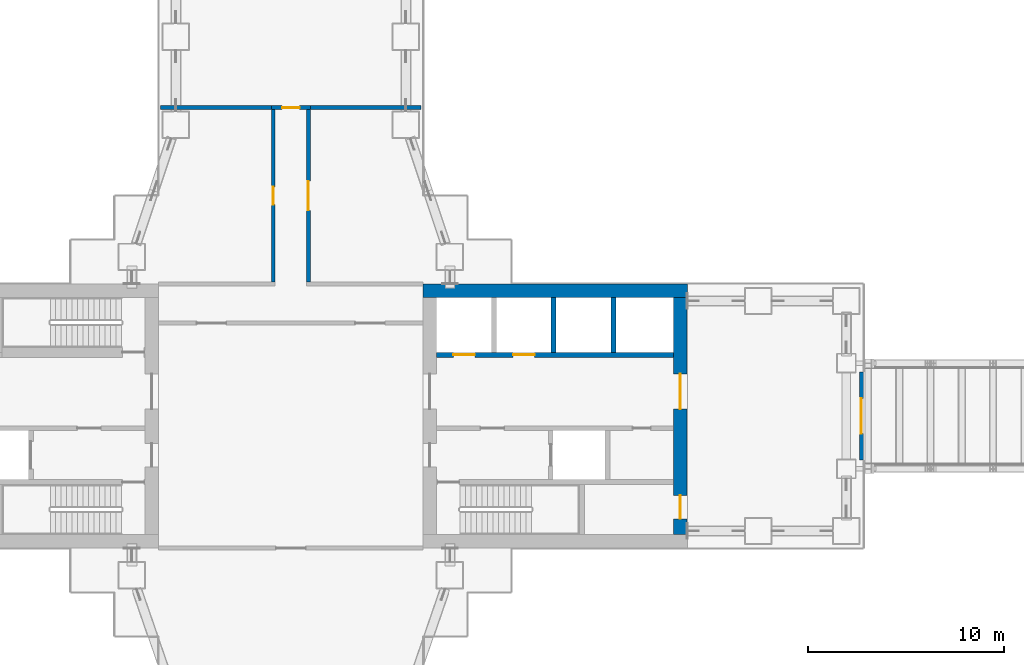
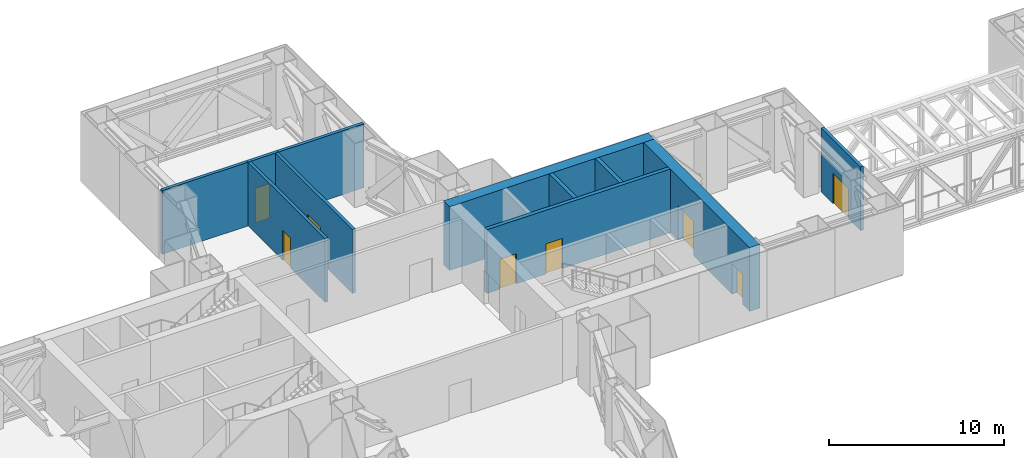
# One storey, part 12 of 23: 11 walls, 8 doors, 8 openings.
"""IFC4 building model written with IfcOpenShell, lengths in metres."""

from ifc_helpers import new_model, si_unit, direction, frame, frame_2d, origin, place, context, subcontext, project, spatial, rectangle, extrude, material, layer, layer_set, type_object, element, fill, save


model = new_model("IFC4")

# Units and contexts
model_context = context("Model", 3, precision=1e-05, world=origin(), true_north=direction((0.0, 1.0)))
body_context = subcontext(model_context, "Body", "Model", "MODEL_VIEW")
ifc_project = project(units=[si_unit("LENGTHUNIT", "METRE"), si_unit("AREAUNIT", "SQUARE_METRE"), si_unit("VOLUMEUNIT", "CUBIC_METRE"), si_unit("PLANEANGLEUNIT", "RADIAN"), si_unit("MASSUNIT", "GRAM", prefix="KILO")], contexts=[model_context])

# Site, building, storey
site_placement = place(None, origin())
site = spatial("IfcSite", under=ifc_project, at=site_placement, CompositionType="ELEMENT")
building_placement = place(site_placement, origin())
building = spatial("IfcBuilding", under=site, at=building_placement, Name="Shamsa Quay Exchange Towers", CompositionType="ELEMENT")
storey_placement = place(building_placement, frame((0.0, 0.0, 77.10009765625)))
storey = spatial("IfcBuildingStorey", under=building, at=storey_placement, Name="L17", CompositionType="ELEMENT", Elevation=77.10009765625)

# Wall
ifc_material_1 = material(Name="Concrete C80/95", Category="concrete")
ifc_layer_1 = layer(ifc_material_1, 0.699951171875)
ifc_layer_set_1 = layer_set([ifc_layer_1], Name="CORE WALL 700 C80/95")
wall_type_1 = type_object("IfcWallType", Name="CORE WALL 700 C80/95", PredefinedType="SHEAR", material=ifc_layer_set_1)
wall_1_placement = place(storey_placement, frame((-27.0, 6.39990234375, 0.0)))
element("IfcWall", 1, at=wall_1_placement, inside=storey, type_object=wall_type_1, Name="Core wall T1A-L17-PN", PredefinedType="SHEAR", context=body_context, shape_type="SweptSolid", body=[
    extrude(rectangle(XDim=13.5, YDim=0.699951171875, at=frame_2d((6.75, 0.0))), origin(), (0.0, 0.0, 1.0), 4.449951171875),
])

# Wall, openings, doors
wall_2_placement = place(storey_placement, frame((-13.85009765625, 6.050048828125, 0.0), z_axis=(0.0, 0.0, 1.0), x_axis=(0.0, -1.0, 0.0)))
wall_2 = element("IfcWall", 2, at=wall_2_placement, inside=storey, type_object=wall_type_1, Name="Core wall T1A-L17-PB", PredefinedType="SHEAR", context=body_context, shape_type="SweptSolid", body=[
    extrude(rectangle(XDim=12.10009765625, YDim=0.699951171875, at=frame_2d((6.050048828125, 0.0))), origin(), (0.0, 0.0, 1.0), 4.449951171875),
])
opening_1_placement = place(wall_2_placement, frame((10.10009765625, 0.0, 0.0)))
opening_1 = element("IfcOpeningElement", 3, at=opening_1_placement, cuts=wall_2, Name="Opening T1A-L17-RD03", PredefinedType="OPENING", context=body_context, shape_type="SweptSolid", body=[
    extrude(rectangle(XDim=1.199951171875, YDim=2.10009765625, at=frame_2d((0.60009765625, 1.050048828125))), frame((0.0, 0.35986328125, 0.0), z_axis=(0.0, -1.0, 0.0), x_axis=(1.0, 0.0, 0.0)), (0.0, 0.0, 1.0), 0.719970703125),
])
opening_2_placement = place(wall_2_placement, frame((3.89990234375, 0.0, 0.0)))
opening_2 = element("IfcOpeningElement", 4, at=opening_2_placement, cuts=wall_2, Name="Opening T1A-L17-LBD04", PredefinedType="OPENING", context=body_context, shape_type="SweptSolid", body=[
    extrude(rectangle(XDim=1.800048828125, YDim=2.39990234375, at=frame_2d((0.89990234375, 1.199951171875))), frame((0.0, 0.35986328125, 0.0), z_axis=(0.0, -1.0, 0.0), x_axis=(1.0, 0.0, 0.0)), (0.0, 0.0, 1.0), 0.719970703125),
])
ifc_material_2 = material(Name="Steel, fire rated", Category="steel")
door_type_1 = type_object("IfcDoorType", Name="LIFT LOBBY DOOR PAIR 1800", OperationType="DOUBLE_DOOR_SINGLE_SWING", PredefinedType="DOOR", material=ifc_material_2)
door_1_placement = place(opening_2_placement, origin())
door_1 = element("IfcDoor", 5, at=door_1_placement, inside=storey, type_object=door_type_1, Name="T1A-L17-LBD04", OperationType="DOUBLE_DOOR_SINGLE_SWING", OverallHeight=2.39990234375, OverallWidth=1.800048828125, PredefinedType="DOOR", context=body_context, shape_type="SweptSolid", body=[
    extrude(rectangle(XDim=1.800048828125, YDim=2.39990234375, at=frame_2d((0.89990234375, 1.199951171875))), frame((0.0, 0.02490234375, 0.0), z_axis=(0.0, -1.0, 0.0), x_axis=(1.0, 0.0, 0.0)), (0.0, 0.0, 1.0), 0.050048828125),
])
fill(opening_2, door_1)
door_type_2 = type_object("IfcDoorType", Name="RISER ACCESS DOOR 1200", OperationType="SINGLE_SWING_LEFT", PredefinedType="DOOR", material=ifc_material_2)
door_2_placement = place(opening_1_placement, origin())
door_2 = element("IfcDoor", 6, at=door_2_placement, inside=storey, type_object=door_type_2, Name="T1A-L17-RD03", OperationType="SINGLE_SWING_RIGHT", OverallHeight=2.10009765625, OverallWidth=1.199951171875, PredefinedType="DOOR", context=body_context, shape_type="SweptSolid", body=[
    extrude(rectangle(XDim=1.199951171875, YDim=2.10009765625, at=frame_2d((0.60009765625, 1.050048828125))), frame((0.0, 0.02490234375, 0.0), z_axis=(0.0, -1.0, 0.0), x_axis=(1.0, 0.0, 0.0)), (0.0, 0.0, 1.0), 0.050048828125),
])
fill(opening_1, door_2)

# Wall, opening, door
ifc_material_3 = material(Name="Gypsum board partition on metal studs")
ifc_layer_2 = layer(ifc_material_3, 0.199951171875)
ifc_layer_set_2 = layer_set([ifc_layer_2], Name="Partition 200 mm EI 120")
wall_type_2 = type_object("IfcWallType", Name="Partition 200 mm EI 120", PredefinedType="PARTITIONING", material=ifc_layer_set_2)
wall_3_placement = place(storey_placement, frame((-32.849609375, 15.64990234375, 0.0), z_axis=(0.0, 0.0, 1.0), x_axis=(0.0, -1.0, 0.0)))
wall_3 = element("IfcWall", 7, at=wall_3_placement, inside=storey, type_object=wall_type_2, Name="Partition T1-L17-W02", PredefinedType="PARTITIONING", context=body_context, shape_type="SweptSolid", body=[
    extrude(rectangle(XDim=8.7998046875, YDim=0.199951171875, at=frame_2d((4.39990234375, 0.0))), origin(), (0.0, 0.0, 1.0), 4.449951171875),
])
opening_3_placement = place(wall_3_placement, frame((3.64990234375, 0.0, 0.0)))
opening_3 = element("IfcOpeningElement", 8, at=opening_3_placement, cuts=wall_3, Name="Opening T1-L17-D06", PredefinedType="OPENING", context=body_context, shape_type="SweptSolid", body=[
    extrude(rectangle(XDim=1.5, YDim=2.39990234375, at=frame_2d((0.75, 1.199951171875))), frame((0.0, 0.10986328125, 0.0), z_axis=(0.0, -1.0, 0.0), x_axis=(1.0, 0.0, 0.0)), (0.0, 0.0, 1.0), 0.219970703125),
])
ifc_material_4 = material(Name="Timber door leaf in a metal frame", Category="wood")
door_type_3 = type_object("IfcDoorType", Name="Door 1500x2400 FD60 pair", OperationType="NOTDEFINED", PredefinedType="DOOR", material=ifc_material_4)
door_3_placement = place(opening_3_placement, origin())
door_3 = element("IfcDoor", 9, at=door_3_placement, inside=storey, type_object=door_type_3, Name="Door T1-L17-D06", OperationType="DOUBLE_DOOR_SINGLE_SWING", OverallHeight=2.39990234375, OverallWidth=1.5, PredefinedType="DOOR", context=body_context, shape_type="SweptSolid", body=[
    extrude(rectangle(XDim=1.5, YDim=2.39990234375, at=frame_2d((0.75, 1.199951171875))), frame((0.0, 0.02490234375, 0.0), z_axis=(0.0, -1.0, 0.0), x_axis=(1.0, 0.0, 0.0)), (0.0, 0.0, 1.0), 0.050048828125),
])
fill(opening_3, door_3)

wall_4_placement = place(storey_placement, frame((-34.75048828125, 15.75, 0.0)))
wall_4 = element("IfcWall", 10, at=wall_4_placement, inside=storey, type_object=wall_type_2, Name="Partition T1-L17-W06", PredefinedType="PARTITIONING", context=body_context, shape_type="SweptSolid", body=[
    extrude(rectangle(XDim=2.0009765625, YDim=0.199951171875, at=frame_2d((1.00048828125, 0.0))), origin(), (0.0, 0.0, 1.0), 4.449951171875),
])
opening_4_placement = place(wall_4_placement, frame((0.55029296875, 0.0, 0.0)))
opening_4 = element("IfcOpeningElement", 11, at=opening_4_placement, cuts=wall_4, Name="Opening T1-L17-D05", PredefinedType="OPENING", context=body_context, shape_type="SweptSolid", body=[
    extrude(rectangle(XDim=0.89990234375, YDim=2.39990234375, at=frame_2d((0.449951171875, 1.199951171875))), frame((0.0, 0.10986328125, 0.0), z_axis=(0.0, -1.0, 0.0), x_axis=(1.0, 0.0, 0.0)), (0.0, 0.0, 1.0), 0.219970703125),
])
door_type_4 = type_object("IfcDoorType", Name="Door 900x2400 FD60", OperationType="NOTDEFINED", PredefinedType="DOOR", material=ifc_material_4)
door_4_placement = place(opening_4_placement, origin())
door_4 = element("IfcDoor", 12, at=door_4_placement, inside=storey, type_object=door_type_4, Name="Door T1-L17-D05", OperationType="SINGLE_SWING_RIGHT", OverallHeight=2.39990234375, OverallWidth=0.89990234375, PredefinedType="DOOR", context=body_context, shape_type="SweptSolid", body=[
    extrude(rectangle(XDim=0.89990234375, YDim=2.39990234375, at=frame_2d((0.449951171875, 1.199951171875))), frame((0.0, 0.02490234375, 0.0), z_axis=(0.0, -1.0, 0.0), x_axis=(1.0, 0.0, 0.0)), (0.0, 0.0, 1.0), 0.050048828125),
])
fill(opening_4, door_4)

# Wall
wall_5_placement = place(storey_placement, frame((-27.094970703125, 15.75, 0.0), z_axis=(0.0, 0.0, 1.0), x_axis=(-1.0, 0.0, 0.0)))
element("IfcWall", 13, at=wall_5_placement, inside=storey, type_object=wall_type_2, Name="Partition T1-L17-W08", PredefinedType="PARTITIONING", context=body_context, shape_type="SweptSolid", body=[
    extrude(rectangle(XDim=5.854736328125, YDim=0.199951171875, at=frame_2d((2.92724609375, 0.0))), origin(), (0.0, 0.0, 1.0), 4.449951171875),
])

# Wall, opening, door
ifc_layer_3 = layer(ifc_material_3, 0.199951171875)
ifc_layer_set_3 = layer_set([ifc_layer_3], Name="Partition 200 mm EI 90")
wall_type_3 = type_object("IfcWallType", Name="Partition 200 mm EI 90", PredefinedType="PARTITIONING", material=ifc_layer_set_3)
wall_6_placement = place(storey_placement, frame((-34.650390625, 6.85009765625, 0.0), z_axis=(0.0, 0.0, 1.0), x_axis=(0.0, 1.0, 0.0)))
wall_6 = element("IfcWall", 14, at=wall_6_placement, inside=storey, type_object=wall_type_3, Name="Partition T1-L17-W05", PredefinedType="PARTITIONING", context=body_context, shape_type="SweptSolid", body=[
    extrude(rectangle(XDim=8.7998046875, YDim=0.199951171875, at=frame_2d((4.39990234375, 0.0))), origin(), (0.0, 0.0, 1.0), 4.449951171875),
])
opening_5_placement = place(wall_6_placement, frame((3.949951171875, 0.0, 0.0)))
opening_5 = element("IfcOpeningElement", 15, at=opening_5_placement, cuts=wall_6, Name="Opening T1-L17-D04", PredefinedType="OPENING", context=body_context, shape_type="SweptSolid", body=[
    extrude(rectangle(XDim=0.89990234375, YDim=2.10009765625, at=frame_2d((0.449951171875, 1.050048828125))), frame((0.0, 0.10986328125, 0.0), z_axis=(0.0, -1.0, 0.0), x_axis=(1.0, 0.0, 0.0)), (0.0, 0.0, 1.0), 0.219970703125),
])
door_type_5 = type_object("IfcDoorType", Name="Door 900x2100 FD60", OperationType="NOTDEFINED", PredefinedType="DOOR", material=ifc_material_4)
door_5_placement = place(opening_5_placement, origin())
door_5 = element("IfcDoor", 16, at=door_5_placement, inside=storey, type_object=door_type_5, Name="Door T1-L17-D04", OperationType="SINGLE_SWING_LEFT", OverallHeight=2.10009765625, OverallWidth=0.89990234375, PredefinedType="DOOR", context=body_context, shape_type="SweptSolid", body=[
    extrude(rectangle(XDim=0.89990234375, YDim=2.10009765625, at=frame_2d((0.449951171875, 1.050048828125))), frame((0.0, 0.02490234375, 0.0), z_axis=(0.0, -1.0, 0.0), x_axis=(1.0, 0.0, 0.0)), (0.0, 0.0, 1.0), 0.050048828125),
])
fill(opening_5, door_5)

# Wall
wall_7_placement = place(storey_placement, frame((-34.55029296875, 15.75, 0.0), z_axis=(0.0, 0.0, 1.0), x_axis=(-1.0, 0.0, 0.0)))
element("IfcWall", 17, at=wall_7_placement, inside=storey, type_object=wall_type_3, Name="Partition T1-L17-W09", PredefinedType="PARTITIONING", context=body_context, shape_type="SweptSolid", body=[
    extrude(rectangle(XDim=5.854736328125, YDim=0.199951171875, at=frame_2d((2.92724609375, 0.0))), origin(), (0.0, 0.0, 1.0), 4.449951171875),
])

# Wall, opening, door
ifc_material_5 = material(Name="Fire-rated masonry and board wall", Category="masonry")
ifc_layer_4 = layer(ifc_material_5, 0.199951171875)
ifc_layer_set_4 = layer_set([ifc_layer_4], Name="Portal wall 200 mm EI 120")
wall_type_4 = type_object("IfcWallType", Name="Portal wall 200 mm EI 120", PredefinedType="PARTITIONING", material=ifc_layer_set_4)
wall_8_placement = place(storey_placement, frame((-4.60009765625, -2.25, 0.0), z_axis=(0.0, 0.0, 1.0), x_axis=(0.0, 1.0, 0.0)))
wall_8 = element("IfcWall", 18, at=wall_8_placement, inside=storey, type_object=wall_type_4, Name="Portal wall T1-L17-W10", PredefinedType="PARTITIONING", context=body_context, shape_type="SweptSolid", body=[
    extrude(rectangle(XDim=4.5, YDim=0.199951171875, at=frame_2d((2.25, 0.0))), origin(), (0.0, 0.0, 1.0), 4.449951171875),
])
opening_6_placement = place(wall_8_placement, frame((1.35009765625, 0.0, 0.0)))
opening_6 = element("IfcOpeningElement", 19, at=opening_6_placement, cuts=wall_8, Name="Opening T1-L17-D07", PredefinedType="OPENING", context=body_context, shape_type="SweptSolid", body=[
    extrude(rectangle(XDim=1.800048828125, YDim=2.10009765625, at=frame_2d((0.89990234375, 1.050048828125))), frame((0.0, 0.10986328125, 0.0), z_axis=(0.0, -1.0, 0.0), x_axis=(1.0, 0.0, 0.0)), (0.0, 0.0, 1.0), 0.219970703125),
])
door_type_6 = type_object("IfcDoorType", Name="Door 1800x2100 FD90 pair", OperationType="NOTDEFINED", PredefinedType="DOOR", material=ifc_material_4)
door_6_placement = place(opening_6_placement, origin())
door_6 = element("IfcDoor", 20, at=door_6_placement, inside=storey, type_object=door_type_6, Name="Door T1-L17-D07", OperationType="DOUBLE_DOOR_SINGLE_SWING", OverallHeight=2.10009765625, OverallWidth=1.800048828125, PredefinedType="DOOR", context=body_context, shape_type="SweptSolid", body=[
    extrude(rectangle(XDim=1.800048828125, YDim=2.10009765625, at=frame_2d((0.89990234375, 1.050048828125))), frame((0.0, 0.02490234375, 0.0), z_axis=(0.0, -1.0, 0.0), x_axis=(1.0, 0.0, 0.0)), (0.0, 0.0, 1.0), 0.050048828125),
])
fill(opening_6, door_6)

# Wall, openings, doors
ifc_material_6 = material(Name="Concrete C50/60", Category="concrete")
ifc_layer_5 = layer(ifc_material_6, 0.25)
ifc_layer_set_5 = layer_set([ifc_layer_5], Name="SHAFT WALL 250 C50/60")
wall_type_5 = type_object("IfcWallType", Name="SHAFT WALL 250 C50/60", PredefinedType="SHEAR", material=ifc_layer_set_5)
wall_9_placement = place(storey_placement, frame((-26.300048828125, 3.125, 0.0)))
wall_9 = element("IfcWall", 21, at=wall_9_placement, inside=storey, type_object=wall_type_5, Name="Shaft wall T1A-L17-N", PredefinedType="SHEAR", context=body_context, shape_type="SweptSolid", body=[
    extrude(rectangle(XDim=12.10009765625, YDim=0.25, at=frame_2d((6.050048828125, 0.0))), origin(), (0.0, 0.0, 1.0), 4.449951171875),
])
opening_7_placement = place(wall_9_placement, frame((0.85009765625, 0.0, 0.0)))
opening_7 = element("IfcOpeningElement", 22, at=opening_7_placement, cuts=wall_9, Name="Opening T1A-L17-LD09", PredefinedType="OPENING", context=body_context, shape_type="SweptSolid", body=[
    extrude(rectangle(XDim=1.10009765625, YDim=2.10009765625, at=frame_2d((0.550048828125, 1.050048828125))), frame((0.0, 0.135009765625, 0.0), z_axis=(0.0, -1.0, 0.0), x_axis=(1.0, 0.0, 0.0)), (0.0, 0.0, 1.0), 0.27001953125),
])
opening_8_placement = place(wall_9_placement, frame((3.89990234375, 0.0, 0.0)))
opening_8 = element("IfcOpeningElement", 23, at=opening_8_placement, cuts=wall_9, Name="Opening T1A-L17-LD10", PredefinedType="OPENING", context=body_context, shape_type="SweptSolid", body=[
    extrude(rectangle(XDim=1.10009765625, YDim=2.10009765625, at=frame_2d((0.550048828125, 1.050048828125))), frame((0.0, 0.135009765625, 0.0), z_axis=(0.0, -1.0, 0.0), x_axis=(1.0, 0.0, 0.0)), (0.0, 0.0, 1.0), 0.27001953125),
])
door_type_7 = type_object("IfcDoorType", Name="LANDING DOOR 1100", OperationType="SLIDING_TO_LEFT", PredefinedType="DOOR", material=ifc_material_2)
door_7_placement = place(opening_7_placement, origin())
door_7 = element("IfcDoor", 24, at=door_7_placement, inside=storey, type_object=door_type_7, Name="T1A-L17-LD09", OperationType="SLIDING_TO_LEFT", OverallHeight=2.10009765625, OverallWidth=1.10009765625, PredefinedType="DOOR", context=body_context, shape_type="SweptSolid", body=[
    extrude(rectangle(XDim=1.10009765625, YDim=2.10009765625, at=frame_2d((0.550048828125, 1.050048828125))), frame((0.0, 0.02490234375, 0.0), z_axis=(0.0, -1.0, 0.0), x_axis=(1.0, 0.0, 0.0)), (0.0, 0.0, 1.0), 0.050048828125),
])
fill(opening_7, door_7)
door_8_placement = place(opening_8_placement, origin())
door_8 = element("IfcDoor", 25, at=door_8_placement, inside=storey, type_object=door_type_7, Name="T1A-L17-LD10", OperationType="SLIDING_TO_LEFT", OverallHeight=2.10009765625, OverallWidth=1.10009765625, PredefinedType="DOOR", context=body_context, shape_type="SweptSolid", body=[
    extrude(rectangle(XDim=1.10009765625, YDim=2.10009765625, at=frame_2d((0.550048828125, 1.050048828125))), frame((0.0, 0.02490234375, 0.0), z_axis=(0.0, -1.0, 0.0), x_axis=(1.0, 0.0, 0.0)), (0.0, 0.0, 1.0), 0.050048828125),
])
fill(opening_8, door_8)

# Walls
for number, where, z_axis, x_axis, name in (
    (26, (-20.324951171875, 3.25, 0.0), (0.0, 0.0, 1.0), (0.0, 1.0, 0.0), "Shaft wall T1A-L17-D1"),
    (27, (-17.27490234375, 3.25, 0.0), (0.0, 0.0, 1.0), (0.0, 1.0, 0.0), "Shaft wall T1A-L17-D2"),
):
    element("IfcWall", number, at=place(storey_placement, frame(where, z_axis=z_axis, x_axis=x_axis)), inside=storey, type_object=wall_type_5, Name=name, PredefinedType="SHEAR", context=body_context, shape_type="SweptSolid", body=[
        extrude(rectangle(XDim=2.800048828125, YDim=0.25, at=frame_2d((1.39990234375, 0.0))), origin(), (0.0, 0.0, 1.0), 4.449951171875),
    ])

save(model, "model.ifc")
